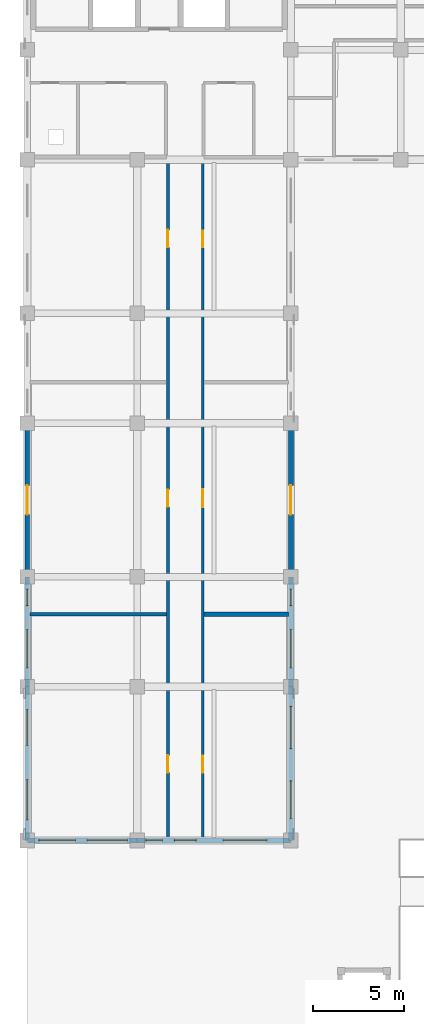
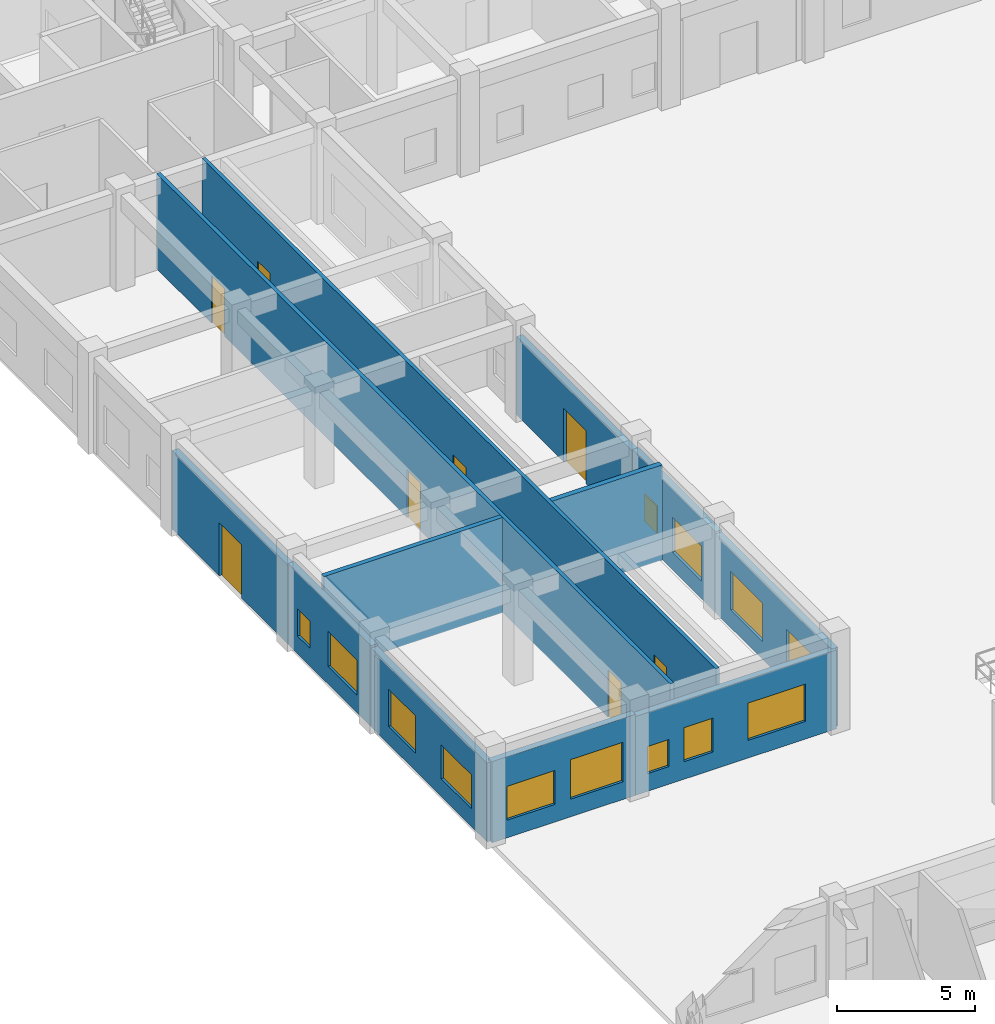
# One storey, part 34 of 67: 13 windows, 12 walls, 8 doors, 21 openings.
"""IFC4 building model written with IfcOpenShell, lengths in metres."""

from ifc_helpers import new_model, si_unit, direction, frame, frame_2d, origin, place, context, subcontext, project, spatial, rectangle, extrude, material, layer, layer_set, type_object, element, fill, save


model = new_model("IFC4")

# Units and contexts
model_context = context("Model", 3, precision=1e-05, world=origin(), true_north=direction((0.0, 1.0)))
body_context = subcontext(model_context, "Body", "Model", "MODEL_VIEW")
ifc_project = project(units=[si_unit("LENGTHUNIT", "METRE"), si_unit("AREAUNIT", "SQUARE_METRE"), si_unit("VOLUMEUNIT", "CUBIC_METRE"), si_unit("PLANEANGLEUNIT", "RADIAN"), si_unit("MASSUNIT", "GRAM", prefix="KILO"), si_unit("THERMODYNAMICTEMPERATUREUNIT", "KELVIN")], contexts=[model_context])

# Site, building, storey
site_placement = place(None, origin())
site = spatial("IfcSite", under=ifc_project, at=site_placement, CompositionType="ELEMENT")
building_placement = place(site_placement, origin())
building = spatial("IfcBuilding", under=site, at=building_placement, Name="Thalorik Housing Commons", CompositionType="ELEMENT")
storey_placement = place(building_placement, origin())
storey = spatial("IfcBuildingStorey", under=building, at=storey_placement, Name="L00", CompositionType="ELEMENT", Elevation=0.0)

# Wall, openings, doors
ifc_material_1 = material(Name="Masonry fire-rated corridor wall", Category="masonry")
ifc_layer_1 = layer(ifc_material_1, 0.14990234375, Name="Masonry fire-rated corridor wall", Category="masonry")
ifc_layer_set_1 = layer_set([ifc_layer_1], Name="Masonry fire-rated corridor wall")
wall_type_1 = type_object("IfcWallType", Name="ARC-WAL-CORR-150", PredefinedType="PARTITIONING", material=ifc_layer_set_1)
wall_1_placement = place(storey_placement, frame((17.97998046875, 72.134521484375, 0.0), z_axis=(0.0, 0.0, 1.0), x_axis=(0.0, 1.0, 0.0)))
wall_1 = element("IfcWall", 1, at=wall_1_placement, inside=storey, type_object=wall_type_1, Name="L00 Block A W Corridor Wall 2", PredefinedType="PARTITIONING", context=body_context, shape_type="SweptSolid", body=[
    extrude(rectangle(XDim=37.20556640625, YDim=0.14990234375, at=frame_2d((18.602783203125, 0.0))), origin(), (0.0, 0.0, 1.0), 4.199951171875),
])
opening_1_placement = place(wall_1_placement, frame((3.56298828125, 0.0, 0.0)))
opening_1 = element("IfcOpeningElement", 2, at=opening_1_placement, cuts=wall_1, Name="Opening ID-0434", PredefinedType="OPENING", context=body_context, shape_type="SweptSolid", body=[
    extrude(rectangle(XDim=0.919921875, YDim=2.10009765625, at=frame_2d((0.4599609375, 1.050048828125))), frame((0.0, 0.0849609375, 0.0), z_axis=(0.0, -1.0, 0.0), x_axis=(1.0, 0.0, 0.0)), (0.0, 0.0, 1.0), 0.169921875),
])
opening_2_placement = place(wall_1_placement, frame((18.08544921875, 0.0, 0.0)))
opening_2 = element("IfcOpeningElement", 3, at=opening_2_placement, cuts=wall_1, Name="Opening ID-0435", PredefinedType="OPENING", context=body_context, shape_type="SweptSolid", body=[
    extrude(rectangle(XDim=0.9599609375, YDim=2.1201171875, at=frame_2d((0.47998046875, 1.06005859375))), frame((0.0, 0.0849609375, 0.0), z_axis=(0.0, -1.0, 0.0), x_axis=(1.0, 0.0, 0.0)), (0.0, 0.0, 1.0), 0.169921875),
])
opening_3_placement = place(wall_1_placement, frame((32.269287109375, 0.0, 0.0)))
opening_3 = element("IfcOpeningElement", 4, at=opening_3_placement, cuts=wall_1, Name="Opening ID-0436", PredefinedType="OPENING", context=body_context, shape_type="SweptSolid", body=[
    extrude(rectangle(XDim=0.919921875, YDim=2.10009765625, at=frame_2d((0.4599609375, 1.050048828125))), frame((0.0, 0.0849609375, 0.0), z_axis=(0.0, -1.0, 0.0), x_axis=(1.0, 0.0, 0.0)), (0.0, 0.0, 1.0), 0.169921875),
])
ifc_material_2 = material(Name="Solid core hardwood timber", Category="wood")
door_type_1 = type_object("IfcDoorType", Name="ARC-DR-FD30-920", OperationType="NOTDEFINED", PredefinedType="DOOR", material=ifc_material_2)
door_1_placement = place(opening_1_placement, origin())
door_1 = element("IfcDoor", 5, at=door_1_placement, inside=storey, type_object=door_type_1, Name="L00 Residents Cooperative Library Door", OperationType="SINGLE_SWING_LEFT", OverallHeight=2.10009765625, OverallWidth=0.919921875, PredefinedType="DOOR", context=body_context, shape_type="SweptSolid", body=[
    extrude(rectangle(XDim=0.919921875, YDim=2.10009765625, at=frame_2d((0.4599609375, 1.050048828125))), frame((0.0, 0.02490234375, 0.0), z_axis=(0.0, -1.0, 0.0), x_axis=(1.0, 0.0, 0.0)), (0.0, 0.0, 1.0), 0.050048828125),
])
fill(opening_1, door_1)
door_2_placement = place(opening_3_placement, origin())
door_2 = element("IfcDoor", 6, at=door_2_placement, inside=storey, type_object=door_type_1, Name="L00 Senior Day Lounge Door", OperationType="SINGLE_SWING_LEFT", OverallHeight=2.10009765625, OverallWidth=0.919921875, PredefinedType="DOOR", context=body_context, shape_type="SweptSolid", body=[
    extrude(rectangle(XDim=0.919921875, YDim=2.10009765625, at=frame_2d((0.4599609375, 1.050048828125))), frame((0.0, 0.02490234375, 0.0), z_axis=(0.0, -1.0, 0.0), x_axis=(1.0, 0.0, 0.0)), (0.0, 0.0, 1.0), 0.050048828125),
])
fill(opening_3, door_2)
door_type_2 = type_object("IfcDoorType", Name="ARC-DR-FD30-960", OperationType="NOTDEFINED", PredefinedType="DOOR", material=ifc_material_2)
door_3_placement = place(opening_2_placement, origin())
door_3 = element("IfcDoor", 7, at=door_3_placement, inside=storey, type_object=door_type_2, Name="L00 Community Youth Studio Door", OperationType="SINGLE_SWING_RIGHT", OverallHeight=2.1201171875, OverallWidth=0.9599609375, PredefinedType="DOOR", context=body_context, shape_type="SweptSolid", body=[
    extrude(rectangle(XDim=0.9599609375, YDim=2.1201171875, at=frame_2d((0.47998046875, 1.06005859375))), frame((0.0, 0.02490234375, 0.0), z_axis=(0.0, -1.0, 0.0), x_axis=(1.0, 0.0, 0.0)), (0.0, 0.0, 1.0), 0.050048828125),
])
fill(opening_2, door_3)

ifc_layer_2 = layer(ifc_material_1, 0.1650390625, Name="Masonry fire-rated corridor wall", Category="masonry")
ifc_layer_set_2 = layer_set([ifc_layer_2], Name="Masonry fire-rated corridor wall")
wall_type_2 = type_object("IfcWallType", Name="ARC-WAL-CORR-165", PredefinedType="PARTITIONING", material=ifc_layer_set_2)
wall_2_placement = place(storey_placement, frame((16.080078125, 72.134521484375, 0.0), z_axis=(0.0, 0.0, 1.0), x_axis=(0.0, 1.0, 0.0)))
wall_2 = element("IfcWall", 8, at=wall_2_placement, inside=storey, type_object=wall_type_2, Name="L00 Block A W Corridor Wall 1", PredefinedType="PARTITIONING", context=body_context, shape_type="SweptSolid", body=[
    extrude(rectangle(XDim=37.20556640625, YDim=0.1650390625, at=frame_2d((18.602783203125, 0.0))), origin(), (0.0, 0.0, 1.0), 4.199951171875),
])
opening_4_placement = place(wall_2_placement, frame((3.566162109375, 0.0, 0.0)))
opening_4 = element("IfcOpeningElement", 9, at=opening_4_placement, cuts=wall_2, Name="Opening ID-0431", PredefinedType="OPENING", context=body_context, shape_type="SweptSolid", body=[
    extrude(rectangle(XDim=0.949951171875, YDim=2.10009765625, at=frame_2d((0.47509765625, 1.050048828125))), frame((0.0, 0.092529296875, 0.0), z_axis=(0.0, -1.0, 0.0), x_axis=(1.0, 0.0, 0.0)), (0.0, 0.0, 1.0), 0.18505859375),
])
opening_5_placement = place(wall_2_placement, frame((18.090576171875, 0.0, 0.0)))
opening_5 = element("IfcOpeningElement", 10, at=opening_5_placement, cuts=wall_2, Name="Opening ID-0432", PredefinedType="OPENING", context=body_context, shape_type="SweptSolid", body=[
    extrude(rectangle(XDim=0.949951171875, YDim=2.10009765625, at=frame_2d((0.47509765625, 1.050048828125))), frame((0.0, 0.092529296875, 0.0), z_axis=(0.0, -1.0, 0.0), x_axis=(1.0, 0.0, 0.0)), (0.0, 0.0, 1.0), 0.18505859375),
])
opening_6_placement = place(wall_2_placement, frame((32.27587890625, 0.0, 0.0)))
opening_6 = element("IfcOpeningElement", 11, at=opening_6_placement, cuts=wall_2, Name="Opening ID-0433", PredefinedType="OPENING", context=body_context, shape_type="SweptSolid", body=[
    extrude(rectangle(XDim=0.949951171875, YDim=2.10009765625, at=frame_2d((0.47509765625, 1.050048828125))), frame((0.0, 0.092529296875, 0.0), z_axis=(0.0, -1.0, 0.0), x_axis=(1.0, 0.0, 0.0)), (0.0, 0.0, 1.0), 0.18505859375),
])
ifc_material_3 = material(Name="Steel S355", Category="steel")
door_type_3 = type_object("IfcDoorType", Name="ARC-DR-FD60-950", OperationType="NOTDEFINED", PredefinedType="DOOR", material=ifc_material_3)
door_4_placement = place(opening_4_placement, origin())
door_4 = element("IfcDoor", 12, at=door_4_placement, inside=storey, type_object=door_type_3, Name="L00 Residents Lounge Entrance Door", OperationType="SINGLE_SWING_RIGHT", OverallHeight=2.10009765625, OverallWidth=0.949951171875, PredefinedType="DOOR", context=body_context, shape_type="SweptSolid", body=[
    extrude(rectangle(XDim=0.949951171875, YDim=2.10009765625, at=frame_2d((0.47509765625, 1.050048828125))), frame((0.0, 0.02490234375, 0.0), z_axis=(0.0, -1.0, 0.0), x_axis=(1.0, 0.0, 0.0)), (0.0, 0.0, 1.0), 0.050048828125),
])
fill(opening_4, door_4)
door_5_placement = place(opening_5_placement, origin())
door_5 = element("IfcDoor", 13, at=door_5_placement, inside=storey, type_object=door_type_3, Name="L00 Bicycle Repair Workshop Entrance Door", OperationType="SINGLE_SWING_LEFT", OverallHeight=2.10009765625, OverallWidth=0.949951171875, PredefinedType="DOOR", context=body_context, shape_type="SweptSolid", body=[
    extrude(rectangle(XDim=0.949951171875, YDim=2.10009765625, at=frame_2d((0.47509765625, 1.050048828125))), frame((0.0, 0.02490234375, 0.0), z_axis=(0.0, -1.0, 0.0), x_axis=(1.0, 0.0, 0.0)), (0.0, 0.0, 1.0), 0.050048828125),
])
fill(opening_5, door_5)
door_6_placement = place(opening_6_placement, origin())
door_6 = element("IfcDoor", 14, at=door_6_placement, inside=storey, type_object=door_type_3, Name="L00 Cooperative Parcel Room Entrance Door", OperationType="SINGLE_SWING_RIGHT", OverallHeight=2.10009765625, OverallWidth=0.949951171875, PredefinedType="DOOR", context=body_context, shape_type="SweptSolid", body=[
    extrude(rectangle(XDim=0.949951171875, YDim=2.10009765625, at=frame_2d((0.47509765625, 1.050048828125))), frame((0.0, 0.02490234375, 0.0), z_axis=(0.0, -1.0, 0.0), x_axis=(1.0, 0.0, 0.0)), (0.0, 0.0, 1.0), 0.050048828125),
])
fill(opening_6, door_6)

# Wall, opening, door
ifc_material_4 = material(Name="White precast concrete C40/50", Category="concrete")
ifc_layer_3 = layer(ifc_material_4, 0.264892578125, Name="White precast concrete C40/50", Category="concrete")
ifc_layer_set_3 = layer_set([ifc_layer_3], Name="White precast concrete C40/50")
wall_type_3 = type_object("IfcWallType", Name="ARC-WAL-EXT-265", PredefinedType="STANDARD", material=ifc_layer_set_3)
wall_3_placement = place(storey_placement, frame((8.39990234375, 94.800048828125, 0.0), z_axis=(0.0, 0.0, 1.0), x_axis=(0.0, -1.0, 0.0)))
wall_3 = element("IfcWall", 15, at=wall_3_placement, inside=storey, type_object=wall_type_3, Name="L00 Exterior Wall WAL-EXT-L00-A-0019", PredefinedType="STANDARD", context=body_context, shape_type="SweptSolid", body=[
    extrude(rectangle(XDim=8.400146484375, YDim=0.264892578125, at=frame_2d((4.2001953125, 0.0))), origin(), (0.0, 0.0, 1.0), 3.485107421875),
])
opening_7_placement = place(wall_3_placement, frame((3.39990234375, 0.0, 0.0)))
opening_7 = element("IfcOpeningElement", 16, at=opening_7_placement, cuts=wall_3, Name="Opening ED-0008", PredefinedType="OPENING", context=body_context, shape_type="SweptSolid", body=[
    extrude(rectangle(XDim=1.60009765625, YDim=2.35009765625, at=frame_2d((0.800048828125, 1.175048828125))), frame((0.0, 0.142578125, 0.0), z_axis=(0.0, -1.0, 0.0), x_axis=(1.0, 0.0, 0.0)), (0.0, 0.0, 1.0), 0.284912109375),
])
ifc_material_5 = material(Name="Anodised aluminium and laminated safety glass", Category="aluminium")
door_type_4 = type_object("IfcDoorType", Name="ARC-DR-EXT-LOB-1600", OperationType="NOTDEFINED", PredefinedType="DOOR", material=ifc_material_5)
door_7_placement = place(opening_7_placement, frame((1.60009765625, 0.0, 0.0), z_axis=(0.0, 0.0, 1.0), x_axis=(-1.0, 0.0, 0.0)))
door_7 = element("IfcDoor", 17, at=door_7_placement, inside=storey, type_object=door_type_4, Name="L00 Block A Courtyard Entrance Door", OperationType="DOUBLE_DOOR_SINGLE_SWING", OverallHeight=2.35009765625, OverallWidth=1.60009765625, PredefinedType="DOOR", context=body_context, shape_type="SweptSolid", body=[
    extrude(rectangle(XDim=1.60009765625, YDim=2.35009765625, at=frame_2d((0.800048828125, 1.175048828125))), frame((0.0, 0.02490234375, 0.0), z_axis=(0.0, -1.0, 0.0), x_axis=(1.0, 0.0, 0.0)), (0.0, 0.0, 1.0), 0.050048828125),
])
fill(opening_7, door_7)

# Wall, openings, windows
wall_4_placement = place(storey_placement, frame((8.39990234375, 86.39990234375, 0.0), z_axis=(0.0, 0.0, 1.0), x_axis=(0.0, -1.0, 0.0)))
wall_4 = element("IfcWall", 18, at=wall_4_placement, inside=storey, type_object=wall_type_3, Name="L00 Exterior Wall WAL-EXT-L00-A-0020", PredefinedType="STANDARD", context=body_context, shape_type="SweptSolid", body=[
    extrude(rectangle(XDim=6.0, YDim=0.264892578125, at=frame_2d((3.0, 0.0))), origin(), (0.0, 0.0, 1.0), 3.5849609375),
])
opening_8_placement = place(wall_4_placement, frame((0.6650390625, 0.0, 0.780029296875)))
opening_8 = element("IfcOpeningElement", 19, at=opening_8_placement, cuts=wall_4, Name="Opening W-01", PredefinedType="OPENING", context=body_context, shape_type="SweptSolid", body=[
    extrude(rectangle(XDim=0.89990234375, YDim=1.199951171875, at=frame_2d((0.449951171875, 0.60009765625))), frame((0.0, 0.142578125, 0.0), z_axis=(0.0, -1.0, 0.0), x_axis=(1.0, 0.0, 0.0)), (0.0, 0.0, 1.0), 0.284912109375),
])
opening_9_placement = place(wall_4_placement, frame((2.875, 0.0, 0.780029296875)))
opening_9 = element("IfcOpeningElement", 20, at=opening_9_placement, cuts=wall_4, Name="Opening W-26", PredefinedType="OPENING", context=body_context, shape_type="SweptSolid", body=[
    extrude(rectangle(XDim=2.10009765625, YDim=1.550048828125, at=frame_2d((1.050048828125, 0.77490234375))), frame((0.0, 0.142578125, 0.0), z_axis=(0.0, -1.0, 0.0), x_axis=(1.0, 0.0, 0.0)), (0.0, 0.0, 1.0), 0.284912109375),
])
ifc_material_6 = material(Name="Anodised aluminium and solar-control low-E glass", Category="aluminium")
window_type_1 = type_object("IfcWindowType", Name="ARC-WIN-01", PartitioningType="SINGLE_PANEL", PredefinedType="WINDOW", material=ifc_material_6)
window_1_placement = place(opening_8_placement, origin())
window_1 = element("IfcWindow", 21, at=window_1_placement, inside=storey, type_object=window_type_1, Name="L00 Facade Window 33", OverallHeight=1.199951171875, OverallWidth=0.89990234375, PartitioningType="SINGLE_PANEL", PredefinedType="WINDOW", context=body_context, shape_type="SweptSolid", body=[
    extrude(rectangle(XDim=0.89990234375, YDim=1.199951171875, at=frame_2d((0.449951171875, 0.60009765625))), frame((0.0, 0.030029296875, 0.0), z_axis=(0.0, -1.0, 0.0), x_axis=(1.0, 0.0, 0.0)), (0.0, 0.0, 1.0), 0.06005859375),
])
fill(opening_8, window_1)
window_type_2 = type_object("IfcWindowType", Name="ARC-WIN-26", PartitioningType="DOUBLE_PANEL_VERTICAL", PredefinedType="WINDOW", material=ifc_material_6)
window_2_placement = place(opening_9_placement, origin())
window_2 = element("IfcWindow", 22, at=window_2_placement, inside=storey, type_object=window_type_2, Name="L00 Facade Window 34", OverallHeight=1.550048828125, OverallWidth=2.10009765625, PartitioningType="DOUBLE_PANEL_VERTICAL", PredefinedType="WINDOW", context=body_context, shape_type="SweptSolid", body=[
    extrude(rectangle(XDim=2.10009765625, YDim=1.550048828125, at=frame_2d((1.050048828125, 0.77490234375))), frame((0.0, 0.030029296875, 0.0), z_axis=(0.0, -1.0, 0.0), x_axis=(1.0, 0.0, 0.0)), (0.0, 0.0, 1.0), 0.06005859375),
])
fill(opening_9, window_2)

wall_5_placement = place(storey_placement, frame((8.39990234375, 80.39990234375, 0.0), z_axis=(0.0, 0.0, 1.0), x_axis=(0.0, -1.0, 0.0)))
wall_5 = element("IfcWall", 23, at=wall_5_placement, inside=storey, type_object=wall_type_3, Name="L00 Exterior Wall WAL-EXT-L00-A-0021", PredefinedType="STANDARD", context=body_context, shape_type="SweptSolid", body=[
    extrude(rectangle(XDim=8.39990234375, YDim=0.264892578125, at=frame_2d((4.199951171875, 0.0))), origin(), (0.0, 0.0, 1.0), 3.485107421875),
])
opening_10_placement = place(wall_5_placement, frame((1.2548828125, 0.0, 0.780029296875)))
opening_10 = element("IfcOpeningElement", 24, at=opening_10_placement, cuts=wall_5, Name="Opening W-22", PredefinedType="OPENING", context=body_context, shape_type="SweptSolid", body=[
    extrude(rectangle(XDim=1.949951171875, YDim=1.64990234375, at=frame_2d((0.97509765625, 0.824951171875))), frame((0.0, 0.142578125, 0.0), z_axis=(0.0, -1.0, 0.0), x_axis=(1.0, 0.0, 0.0)), (0.0, 0.0, 1.0), 0.284912109375),
])
opening_11_placement = place(wall_5_placement, frame((5.070068359375, 0.0, 0.780029296875)))
opening_11 = element("IfcOpeningElement", 25, at=opening_11_placement, cuts=wall_5, Name="Opening W-29", PredefinedType="OPENING", context=body_context, shape_type="SweptSolid", body=[
    extrude(rectangle(XDim=2.199951171875, YDim=1.5, at=frame_2d((1.10009765625, 0.75))), frame((0.0, 0.142578125, 0.0), z_axis=(0.0, -1.0, 0.0), x_axis=(1.0, 0.0, 0.0)), (0.0, 0.0, 1.0), 0.284912109375),
])
window_type_3 = type_object("IfcWindowType", Name="ARC-WIN-22", PartitioningType="DOUBLE_PANEL_VERTICAL", PredefinedType="WINDOW", material=ifc_material_6)
window_3_placement = place(opening_10_placement, origin())
window_3 = element("IfcWindow", 26, at=window_3_placement, inside=storey, type_object=window_type_3, Name="L00 Facade Window 35", OverallHeight=1.64990234375, OverallWidth=1.949951171875, PartitioningType="DOUBLE_PANEL_VERTICAL", PredefinedType="WINDOW", context=body_context, shape_type="SweptSolid", body=[
    extrude(rectangle(XDim=1.949951171875, YDim=1.64990234375, at=frame_2d((0.97509765625, 0.824951171875))), frame((0.0, 0.030029296875, 0.0), z_axis=(0.0, -1.0, 0.0), x_axis=(1.0, 0.0, 0.0)), (0.0, 0.0, 1.0), 0.06005859375),
])
fill(opening_10, window_3)
window_type_4 = type_object("IfcWindowType", Name="ARC-WIN-29", PartitioningType="DOUBLE_PANEL_VERTICAL", PredefinedType="WINDOW", material=ifc_material_6)
window_4_placement = place(opening_11_placement, origin())
window_4 = element("IfcWindow", 27, at=window_4_placement, inside=storey, type_object=window_type_4, Name="L00 Facade Window 36", OverallHeight=1.5, OverallWidth=2.199951171875, PartitioningType="DOUBLE_PANEL_VERTICAL", PredefinedType="WINDOW", context=body_context, shape_type="SweptSolid", body=[
    extrude(rectangle(XDim=2.199951171875, YDim=1.5, at=frame_2d((1.10009765625, 0.75))), frame((0.0, 0.030029296875, 0.0), z_axis=(0.0, -1.0, 0.0), x_axis=(1.0, 0.0, 0.0)), (0.0, 0.0, 1.0), 0.06005859375),
])
fill(opening_11, window_4)

wall_6_placement = place(storey_placement, frame((8.39990234375, 72.0, 0.0), z_axis=(0.0, 0.0, 1.0), x_axis=(1.0, 0.0, 0.0)))
wall_6 = element("IfcWall", 28, at=wall_6_placement, inside=storey, type_object=wall_type_3, Name="L00 Exterior Wall WAL-EXT-L00-A-0022", PredefinedType="STANDARD", context=body_context, shape_type="SweptSolid", body=[
    extrude(rectangle(XDim=6.0, YDim=0.264892578125, at=frame_2d((3.0, 0.0))), origin(), (0.0, 0.0, 1.0), 3.5849609375),
])
opening_12_placement = place(wall_6_placement, frame((0.6298828125, 0.0, 0.780029296875)))
opening_12 = element("IfcOpeningElement", 29, at=opening_12_placement, cuts=wall_6, Name="Opening W-23", PredefinedType="OPENING", context=body_context, shape_type="SweptSolid", body=[
    extrude(rectangle(XDim=2.0, YDim=1.5, at=frame_2d((1.0, 0.75))), frame((0.0, 0.142578125, 0.0), z_axis=(0.0, -1.0, 0.0), x_axis=(1.0, 0.0, 0.0)), (0.0, 0.0, 1.0), 0.284912109375),
])
opening_13_placement = place(wall_6_placement, frame((3.27001953125, 0.0, 0.780029296875)))
opening_13 = element("IfcOpeningElement", 30, at=opening_13_placement, cuts=wall_6, Name="Opening W-30", PredefinedType="OPENING", context=body_context, shape_type="SweptSolid", body=[
    extrude(rectangle(XDim=2.199951171875, YDim=1.75, at=frame_2d((1.10009765625, 0.875))), frame((0.0, 0.142578125, 0.0), z_axis=(0.0, -1.0, 0.0), x_axis=(1.0, 0.0, 0.0)), (0.0, 0.0, 1.0), 0.284912109375),
])
window_type_5 = type_object("IfcWindowType", Name="ARC-WIN-23", PartitioningType="DOUBLE_PANEL_VERTICAL", PredefinedType="WINDOW", material=ifc_material_6)
window_5_placement = place(opening_12_placement, origin())
window_5 = element("IfcWindow", 31, at=window_5_placement, inside=storey, type_object=window_type_5, Name="L00 Facade Window 37", OverallHeight=1.5, OverallWidth=2.0, PartitioningType="DOUBLE_PANEL_VERTICAL", PredefinedType="WINDOW", context=body_context, shape_type="SweptSolid", body=[
    extrude(rectangle(XDim=2.0, YDim=1.5, at=frame_2d((1.0, 0.75))), frame((0.0, 0.030029296875, 0.0), z_axis=(0.0, -1.0, 0.0), x_axis=(1.0, 0.0, 0.0)), (0.0, 0.0, 1.0), 0.06005859375),
])
fill(opening_12, window_5)
window_type_6 = type_object("IfcWindowType", Name="ARC-WIN-30", PartitioningType="DOUBLE_PANEL_VERTICAL", PredefinedType="WINDOW", material=ifc_material_6)
window_6_placement = place(opening_13_placement, origin())
window_6 = element("IfcWindow", 32, at=window_6_placement, inside=storey, type_object=window_type_6, Name="L00 Facade Window 38", OverallHeight=1.75, OverallWidth=2.199951171875, PartitioningType="DOUBLE_PANEL_VERTICAL", PredefinedType="WINDOW", context=body_context, shape_type="SweptSolid", body=[
    extrude(rectangle(XDim=2.199951171875, YDim=1.75, at=frame_2d((1.10009765625, 0.875))), frame((0.0, 0.030029296875, 0.0), z_axis=(0.0, -1.0, 0.0), x_axis=(1.0, 0.0, 0.0)), (0.0, 0.0, 1.0), 0.06005859375),
])
fill(opening_13, window_6)

wall_7_placement = place(storey_placement, frame((14.39990234375, 72.0, 0.0), z_axis=(0.0, 0.0, 1.0), x_axis=(1.0, 0.0, 0.0)))
wall_7 = element("IfcWall", 33, at=wall_7_placement, inside=storey, type_object=wall_type_3, Name="L00 Exterior Wall WAL-EXT-L00-A-0023", PredefinedType="STANDARD", context=body_context, shape_type="SweptSolid", body=[
    extrude(rectangle(XDim=8.400146484375, YDim=0.264892578125, at=frame_2d((4.2001953125, 0.0))), origin(), (0.0, 0.0, 1.0), 3.485107421875),
])
opening_14_placement = place(wall_7_placement, frame((0.485107421875, 0.0, 0.780029296875)))
opening_14 = element("IfcOpeningElement", 34, at=opening_14_placement, cuts=wall_7, Name="Opening W-01", PredefinedType="OPENING", context=body_context, shape_type="SweptSolid", body=[
    extrude(rectangle(XDim=0.89990234375, YDim=1.199951171875, at=frame_2d((0.449951171875, 0.60009765625))), frame((0.0, 0.142578125, 0.0), z_axis=(0.0, -1.0, 0.0), x_axis=(1.0, 0.0, 0.0)), (0.0, 0.0, 1.0), 0.284912109375),
])
opening_15_placement = place(wall_7_placement, frame((2.030029296875, 0.0, 0.780029296875)))
opening_15 = element("IfcOpeningElement", 35, at=opening_15_placement, cuts=wall_7, Name="Opening W-05", PredefinedType="OPENING", context=body_context, shape_type="SweptSolid", body=[
    extrude(rectangle(XDim=1.199951171875, YDim=1.5, at=frame_2d((0.60009765625, 0.75))), frame((0.0, 0.142578125, 0.0), z_axis=(0.0, -1.0, 0.0), x_axis=(1.0, 0.0, 0.0)), (0.0, 0.0, 1.0), 0.284912109375),
])
opening_16_placement = place(wall_7_placement, frame((4.695068359375, 0.0, 0.780029296875)))
opening_16 = element("IfcOpeningElement", 36, at=opening_16_placement, cuts=wall_7, Name="Opening W-34", PredefinedType="OPENING", context=body_context, shape_type="SweptSolid", body=[
    extrude(rectangle(XDim=2.39990234375, YDim=1.64990234375, at=frame_2d((1.199951171875, 0.824951171875))), frame((0.0, 0.142578125, 0.0), z_axis=(0.0, -1.0, 0.0), x_axis=(1.0, 0.0, 0.0)), (0.0, 0.0, 1.0), 0.284912109375),
])
window_7_placement = place(opening_14_placement, origin())
window_7 = element("IfcWindow", 37, at=window_7_placement, inside=storey, type_object=window_type_1, Name="L00 Facade Window 39", OverallHeight=1.199951171875, OverallWidth=0.89990234375, PartitioningType="SINGLE_PANEL", PredefinedType="WINDOW", context=body_context, shape_type="SweptSolid", body=[
    extrude(rectangle(XDim=0.89990234375, YDim=1.199951171875, at=frame_2d((0.449951171875, 0.60009765625))), frame((0.0, 0.030029296875, 0.0), z_axis=(0.0, -1.0, 0.0), x_axis=(1.0, 0.0, 0.0)), (0.0, 0.0, 1.0), 0.06005859375),
])
fill(opening_14, window_7)
window_type_7 = type_object("IfcWindowType", Name="ARC-WIN-05", PartitioningType="SINGLE_PANEL", PredefinedType="WINDOW", material=ifc_material_6)
window_8_placement = place(opening_15_placement, origin())
window_8 = element("IfcWindow", 38, at=window_8_placement, inside=storey, type_object=window_type_7, Name="L00 Facade Window 40", OverallHeight=1.5, OverallWidth=1.199951171875, PartitioningType="SINGLE_PANEL", PredefinedType="WINDOW", context=body_context, shape_type="SweptSolid", body=[
    extrude(rectangle(XDim=1.199951171875, YDim=1.5, at=frame_2d((0.60009765625, 0.75))), frame((0.0, 0.030029296875, 0.0), z_axis=(0.0, -1.0, 0.0), x_axis=(1.0, 0.0, 0.0)), (0.0, 0.0, 1.0), 0.06005859375),
])
fill(opening_15, window_8)
window_type_8 = type_object("IfcWindowType", Name="ARC-WIN-34", PartitioningType="DOUBLE_PANEL_VERTICAL", PredefinedType="WINDOW", material=ifc_material_6)
window_9_placement = place(opening_16_placement, origin())
window_9 = element("IfcWindow", 39, at=window_9_placement, inside=storey, type_object=window_type_8, Name="L00 Facade Window 41", OverallHeight=1.64990234375, OverallWidth=2.39990234375, PartitioningType="DOUBLE_PANEL_VERTICAL", PredefinedType="WINDOW", context=body_context, shape_type="SweptSolid", body=[
    extrude(rectangle(XDim=2.39990234375, YDim=1.64990234375, at=frame_2d((1.199951171875, 0.824951171875))), frame((0.0, 0.030029296875, 0.0), z_axis=(0.0, -1.0, 0.0), x_axis=(1.0, 0.0, 0.0)), (0.0, 0.0, 1.0), 0.06005859375),
])
fill(opening_16, window_9)

wall_8_placement = place(storey_placement, frame((22.800048828125, 72.0, 0.0), z_axis=(0.0, 0.0, 1.0), x_axis=(0.0, 1.0, 0.0)))
wall_8 = element("IfcWall", 40, at=wall_8_placement, inside=storey, type_object=wall_type_3, Name="L00 Exterior Wall WAL-EXT-L00-A-0024", PredefinedType="STANDARD", context=body_context, shape_type="SweptSolid", body=[
    extrude(rectangle(XDim=8.39990234375, YDim=0.264892578125, at=frame_2d((4.199951171875, 0.0))), origin(), (0.0, 0.0, 1.0), 3.485107421875),
])
opening_17_placement = place(wall_8_placement, frame((1.205078125, 0.0, 0.780029296875)))
opening_17 = element("IfcOpeningElement", 41, at=opening_17_placement, cuts=wall_8, Name="Opening W-25", PredefinedType="OPENING", context=body_context, shape_type="SweptSolid", body=[
    extrude(rectangle(XDim=2.050048828125, YDim=1.60009765625, at=frame_2d((1.02490234375, 0.800048828125))), frame((0.0, 0.142578125, 0.0), z_axis=(0.0, -1.0, 0.0), x_axis=(1.0, 0.0, 0.0)), (0.0, 0.0, 1.0), 0.284912109375),
])
opening_18_placement = place(wall_8_placement, frame((5.02001953125, 0.0, 0.780029296875)))
opening_18 = element("IfcOpeningElement", 42, at=opening_18_placement, cuts=wall_8, Name="Opening W-32", PredefinedType="OPENING", context=body_context, shape_type="SweptSolid", body=[
    extrude(rectangle(XDim=2.300048828125, YDim=1.699951171875, at=frame_2d((1.14990234375, 0.85009765625))), frame((0.0, 0.142578125, 0.0), z_axis=(0.0, -1.0, 0.0), x_axis=(1.0, 0.0, 0.0)), (0.0, 0.0, 1.0), 0.284912109375),
])
window_type_9 = type_object("IfcWindowType", Name="ARC-WIN-25", PartitioningType="DOUBLE_PANEL_VERTICAL", PredefinedType="WINDOW", material=ifc_material_6)
window_10_placement = place(opening_17_placement, origin())
window_10 = element("IfcWindow", 43, at=window_10_placement, inside=storey, type_object=window_type_9, Name="L00 Facade Window 42", OverallHeight=1.60009765625, OverallWidth=2.050048828125, PartitioningType="DOUBLE_PANEL_VERTICAL", PredefinedType="WINDOW", context=body_context, shape_type="SweptSolid", body=[
    extrude(rectangle(XDim=2.050048828125, YDim=1.60009765625, at=frame_2d((1.02490234375, 0.800048828125))), frame((0.0, 0.030029296875, 0.0), z_axis=(0.0, -1.0, 0.0), x_axis=(1.0, 0.0, 0.0)), (0.0, 0.0, 1.0), 0.06005859375),
])
fill(opening_17, window_10)
window_type_10 = type_object("IfcWindowType", Name="ARC-WIN-32", PartitioningType="DOUBLE_PANEL_VERTICAL", PredefinedType="WINDOW", material=ifc_material_6)
window_11_placement = place(opening_18_placement, origin())
window_11 = element("IfcWindow", 44, at=window_11_placement, inside=storey, type_object=window_type_10, Name="L00 Facade Window 43", OverallHeight=1.699951171875, OverallWidth=2.300048828125, PartitioningType="DOUBLE_PANEL_VERTICAL", PredefinedType="WINDOW", context=body_context, shape_type="SweptSolid", body=[
    extrude(rectangle(XDim=2.300048828125, YDim=1.699951171875, at=frame_2d((1.14990234375, 0.85009765625))), frame((0.0, 0.030029296875, 0.0), z_axis=(0.0, -1.0, 0.0), x_axis=(1.0, 0.0, 0.0)), (0.0, 0.0, 1.0), 0.06005859375),
])
fill(opening_18, window_11)

wall_9_placement = place(storey_placement, frame((22.800048828125, 80.39990234375, 0.0), z_axis=(0.0, 0.0, 1.0), x_axis=(0.0, 1.0, 0.0)))
wall_9 = element("IfcWall", 45, at=wall_9_placement, inside=storey, type_object=wall_type_3, Name="L00 Exterior Wall WAL-EXT-L00-A-0025", PredefinedType="STANDARD", context=body_context, shape_type="SweptSolid", body=[
    extrude(rectangle(XDim=6.0, YDim=0.264892578125, at=frame_2d((3.0, 0.0))), origin(), (0.0, 0.0, 1.0), 3.5849609375),
])
opening_19_placement = place(wall_9_placement, frame((1.02490234375, 0.0, 0.780029296875)))
opening_19 = element("IfcOpeningElement", 46, at=opening_19_placement, cuts=wall_9, Name="Opening W-26", PredefinedType="OPENING", context=body_context, shape_type="SweptSolid", body=[
    extrude(rectangle(XDim=2.10009765625, YDim=1.550048828125, at=frame_2d((1.050048828125, 0.77490234375))), frame((0.0, 0.142578125, 0.0), z_axis=(0.0, -1.0, 0.0), x_axis=(1.0, 0.0, 0.0)), (0.0, 0.0, 1.0), 0.284912109375),
])
opening_20_placement = place(wall_9_placement, frame((4.43505859375, 0.0, 0.780029296875)))
opening_20 = element("IfcOpeningElement", 47, at=opening_20_placement, cuts=wall_9, Name="Opening W-01", PredefinedType="OPENING", context=body_context, shape_type="SweptSolid", body=[
    extrude(rectangle(XDim=0.89990234375, YDim=1.199951171875, at=frame_2d((0.449951171875, 0.60009765625))), frame((0.0, 0.142578125, 0.0), z_axis=(0.0, -1.0, 0.0), x_axis=(1.0, 0.0, 0.0)), (0.0, 0.0, 1.0), 0.284912109375),
])
window_12_placement = place(opening_20_placement, origin())
window_12 = element("IfcWindow", 48, at=window_12_placement, inside=storey, type_object=window_type_1, Name="L00 Facade Window 45", OverallHeight=1.199951171875, OverallWidth=0.89990234375, PartitioningType="SINGLE_PANEL", PredefinedType="WINDOW", context=body_context, shape_type="SweptSolid", body=[
    extrude(rectangle(XDim=0.89990234375, YDim=1.199951171875, at=frame_2d((0.449951171875, 0.60009765625))), frame((0.0, 0.030029296875, 0.0), z_axis=(0.0, -1.0, 0.0), x_axis=(1.0, 0.0, 0.0)), (0.0, 0.0, 1.0), 0.06005859375),
])
fill(opening_20, window_12)
window_13_placement = place(opening_19_placement, origin())
window_13 = element("IfcWindow", 49, at=window_13_placement, inside=storey, type_object=window_type_2, Name="L00 Facade Window 44", OverallHeight=1.550048828125, OverallWidth=2.10009765625, PartitioningType="DOUBLE_PANEL_VERTICAL", PredefinedType="WINDOW", context=body_context, shape_type="SweptSolid", body=[
    extrude(rectangle(XDim=2.10009765625, YDim=1.550048828125, at=frame_2d((1.050048828125, 0.77490234375))), frame((0.0, 0.030029296875, 0.0), z_axis=(0.0, -1.0, 0.0), x_axis=(1.0, 0.0, 0.0)), (0.0, 0.0, 1.0), 0.06005859375),
])
fill(opening_19, window_13)

# Wall, opening, door
wall_10_placement = place(storey_placement, frame((22.800048828125, 86.39990234375, 0.0), z_axis=(0.0, 0.0, 1.0), x_axis=(0.0, 1.0, 0.0)))
wall_10 = element("IfcWall", 50, at=wall_10_placement, inside=storey, type_object=wall_type_3, Name="L00 Exterior Wall WAL-EXT-L00-A-0026", PredefinedType="STANDARD", context=body_context, shape_type="SweptSolid", body=[
    extrude(rectangle(XDim=8.400146484375, YDim=0.264892578125, at=frame_2d((4.2001953125, 0.0))), origin(), (0.0, 0.0, 1.0), 3.485107421875),
])
opening_21_placement = place(wall_10_placement, frame((3.39990234375, 0.0, 0.0)))
opening_21 = element("IfcOpeningElement", 51, at=opening_21_placement, cuts=wall_10, Name="Opening ED-0009", PredefinedType="OPENING", context=body_context, shape_type="SweptSolid", body=[
    extrude(rectangle(XDim=1.60009765625, YDim=2.35009765625, at=frame_2d((0.800048828125, 1.175048828125))), frame((0.0, 0.142578125, 0.0), z_axis=(0.0, -1.0, 0.0), x_axis=(1.0, 0.0, 0.0)), (0.0, 0.0, 1.0), 0.284912109375),
])
door_8_placement = place(opening_21_placement, frame((1.60009765625, 0.0, 0.0), z_axis=(0.0, 0.0, 1.0), x_axis=(-1.0, 0.0, 0.0)))
door_8 = element("IfcDoor", 52, at=door_8_placement, inside=storey, type_object=door_type_4, Name="L00 Block A Courtyard Entrance Door", OperationType="DOUBLE_DOOR_SINGLE_SWING", OverallHeight=2.35009765625, OverallWidth=1.60009765625, PredefinedType="DOOR", context=body_context, shape_type="SweptSolid", body=[
    extrude(rectangle(XDim=1.60009765625, YDim=2.35009765625, at=frame_2d((0.800048828125, 1.175048828125))), frame((0.0, 0.02490234375, 0.0), z_axis=(0.0, -1.0, 0.0), x_axis=(1.0, 0.0, 0.0)), (0.0, 0.0, 1.0), 0.050048828125),
])
fill(opening_21, door_8)

# Walls
ifc_material_7 = material(Name="Precast concrete C40/50 acoustic wall", Category="concrete")
ifc_layer_4 = layer(ifc_material_7, 0.199951171875, Name="Precast concrete C40/50 acoustic wall", Category="concrete")
ifc_layer_set_4 = layer_set([ifc_layer_4], Name="Precast concrete C40/50 acoustic wall")
wall_type_4 = type_object("IfcWallType", Name="ARC-WAL-PARTY-200", PredefinedType="PARTITIONING", material=ifc_layer_set_4)
wall_11_placement = place(storey_placement, frame((8.534423828125, 84.360107421875, 0.0), z_axis=(0.0, 0.0, 1.0), x_axis=(1.0, 0.0, 0.0)))
element("IfcWall", 53, at=wall_11_placement, inside=storey, type_object=wall_type_4, Name="L00 Inter-Tenancy Wall 1A", PredefinedType="PARTITIONING", context=body_context, shape_type="SweptSolid", body=[
    extrude(rectangle(XDim=7.461181640625, YDim=0.199951171875, at=frame_2d((3.73046875, 0.0))), origin(), (0.0, 0.0, 1.0), 4.199951171875),
])
ifc_layer_5 = layer(ifc_material_7, 0.219970703125, Name="Precast concrete C40/50 acoustic wall", Category="concrete")
ifc_layer_set_5 = layer_set([ifc_layer_5], Name="Precast concrete C40/50 acoustic wall")
wall_type_5 = type_object("IfcWallType", Name="ARC-WAL-PARTY-220", PredefinedType="PARTITIONING", material=ifc_layer_set_5)
wall_12_placement = place(storey_placement, frame((18.056884765625, 84.360107421875, 0.0), z_axis=(0.0, 0.0, 1.0), x_axis=(1.0, 0.0, 0.0)))
element("IfcWall", 54, at=wall_12_placement, inside=storey, type_object=wall_type_5, Name="L00 Inter-Tenancy Wall 1B", PredefinedType="PARTITIONING", context=body_context, shape_type="SweptSolid", body=[
    extrude(rectangle(XDim=4.608642578125, YDim=0.219970703125, at=frame_2d((2.30419921875, 0.0))), origin(), (0.0, 0.0, 1.0), 4.199951171875),
])

save(model, "model.ifc")
